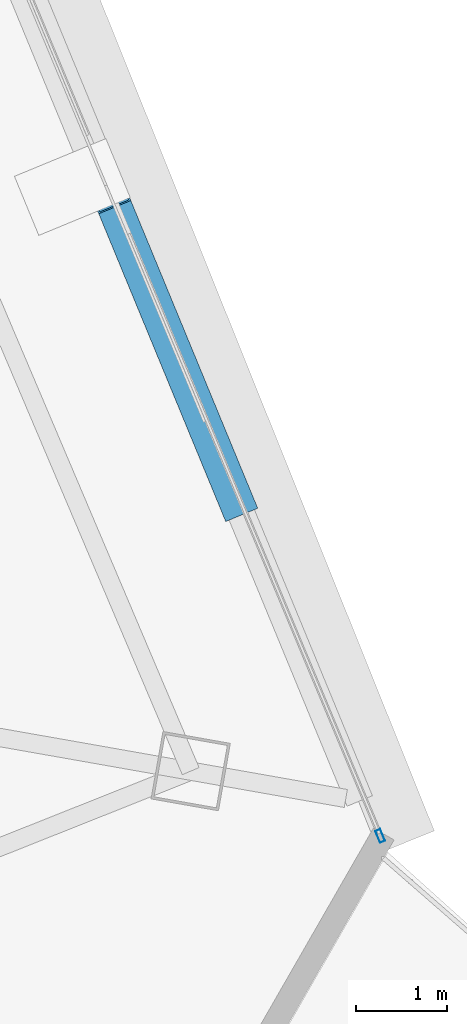
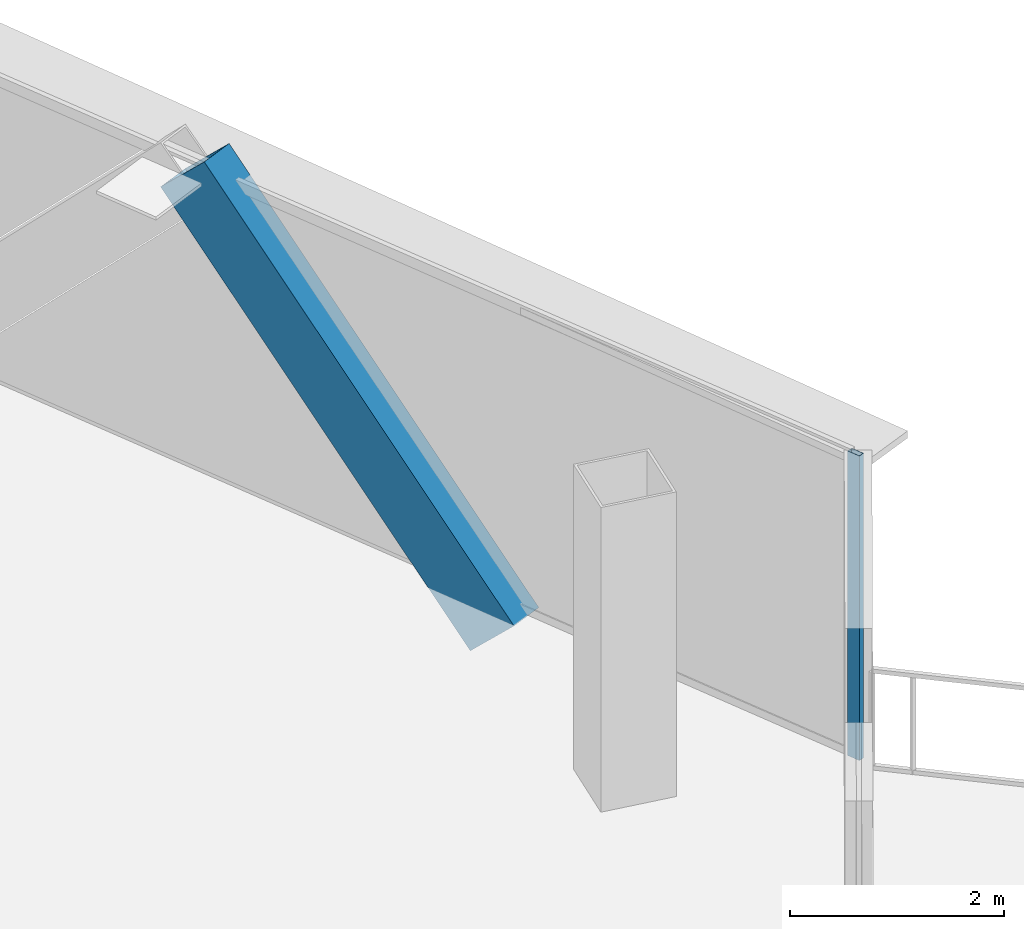
# One storey, part 14 of 33: 2 members, 1 element without a shape of its own.
"""IFC4 building model written with IfcOpenShell, lengths in metres."""

from ifc_helpers import new_model, si_unit, direction, frame, origin, origin_2d, place, context, subcontext, project, spatial, hollow_rectangle, extrude, source, transform, mapped, material, layer, layer_set, material_profile, profile_set, type_object, element, aggregate, save


model = new_model("IFC4")

# Units and contexts
model_context = context("Model", 3, precision=1e-05, world=origin(), true_north=direction((0.0, 1.0)))
body_context = subcontext(model_context, "Body", "Model", "MODEL_VIEW")
ifc_project = project(units=[si_unit("LENGTHUNIT", "METRE"), si_unit("AREAUNIT", "SQUARE_METRE"), si_unit("VOLUMEUNIT", "CUBIC_METRE"), si_unit("PLANEANGLEUNIT", "RADIAN"), si_unit("MASSUNIT", "GRAM", prefix="KILO"), si_unit("THERMODYNAMICTEMPERATUREUNIT", "KELVIN"), si_unit("POWERUNIT", "WATT")], contexts=[model_context])

# Site, building, storey
site_placement = place(None, origin())
site = spatial("IfcSite", under=ifc_project, at=site_placement, CompositionType="ELEMENT")
building_placement = place(site_placement, origin())
building = spatial("IfcBuilding", under=site, at=building_placement, Name="Yunzhuo Pagoda Commons", CompositionType="ELEMENT")
storey_placement = place(building_placement, frame((0.0, 0.0, 307.39990234375)))
storey = spatial("IfcBuildingStorey", under=building, at=storey_placement, Name="L77", CompositionType="ELEMENT", Elevation=307.39990234375)

# Member
ifc_material_1 = material(Name="Structural steel Q355B", Category="steel")
ifc_material_profile_1 = material_profile(ifc_material_1, hollow_rectangle(XDim=0.3798828125, YDim=0.719970703125, WallThickness=0.02001953125, at=origin_2d()), Name="Structural steel Q355B")
ifc_profile_set_1 = profile_set([ifc_material_profile_1], Name="Structural steel Q355B")
member_type_1 = type_object("IfcMemberType", Name="M-DL3 Brace BOX 720x380x20", PredefinedType="BRACE", material=ifc_profile_set_1)
shared_shape_1 = source(origin(), body_context, "Body", "SweptSolid", [
    extrude(hollow_rectangle(XDim=0.3798828125, YDim=0.719970703125, WallThickness=0.02001953125, at=origin_2d()), origin(), (0.0, 0.0, 1.0), 5.217041015625),
])
member_1_placement = place(storey_placement, frame((77.122802734375, 31.69140625, -0.260009765625), z_axis=(-0.266597295023, 0.646300726972, 0.714997379437), x_axis=(-0.924439485935, -0.381328777885, 0.0)))
element("IfcMember", 1, at=member_1_placement, inside=storey, type_object=member_type_1, Name="L77 facade diamond brace F2.1L", PredefinedType="BRACE", context=body_context, shape_type="MappedRepresentation", body=[
    mapped(shared_shape_1, transform((0.0, 0.0, 0.0), scale=1.0)),
])

# Curtain wall, member
ifc_material_2 = material(Name="Anodized aluminium 6063-T6", Category="aluminium")
ifc_layer = layer(ifc_material_2, 0.139892578125)
ifc_layer_set = layer_set([ifc_layer], Name="Anodized aluminium 6063-T6")
curtain_wall_type = type_object("IfcCurtainWallType", Name="CW-HI High-Zone Ribbon Curtain Wall", PredefinedType="NOTDEFINED", material=ifc_layer_set)
curtain_wall_placement = place(storey_placement, origin())
curtain_wall = element("IfcCurtainWall", 2, at=curtain_wall_placement, inside=storey, type_object=curtain_wall_type, Name="L77 curtain wall CW-L77-F2B2", PredefinedType="NOTDEFINED")
ifc_material_profile_2 = material_profile(ifc_material_2, hollow_rectangle(XDim=0.06005859375, YDim=0.139892578125, WallThickness=0.00341796875, at=origin_2d()), Name="Anodized aluminium 6063-T6")
ifc_profile_set_2 = profile_set([ifc_material_profile_2], Name="Anodized aluminium 6063-T6")
member_type_2 = type_object("IfcMemberType", Name="CW-HI-M Mullion RHS 140x60x3.5", PredefinedType="MULLION", material=ifc_profile_set_2)
shared_shape_2 = source(origin(), body_context, "Body", "SweptSolid", [
    extrude(hollow_rectangle(XDim=0.06005859375, YDim=0.139892578125, WallThickness=0.00341796875, at=origin_2d()), origin(), (0.0, 0.0, 1.0), 3.47021484375),
])
member_2_placement = place(storey_placement, frame((78.73779296875, 27.9365234375, 0.0), z_axis=(0.0, 0.0, 1.0), x_axis=(-0.922876210298, -0.385096741697, 0.0)))
member_2 = element("IfcMember", 3, at=member_2_placement, type_object=member_type_2, Name="CW mullion 1", PredefinedType="MULLION", context=body_context, shape_type="MappedRepresentation", body=[
    mapped(shared_shape_2, transform((0.0, 0.0, 0.0), scale=1.0)),
])
aggregate(curtain_wall, [member_2])

save(model, "model.ifc")
